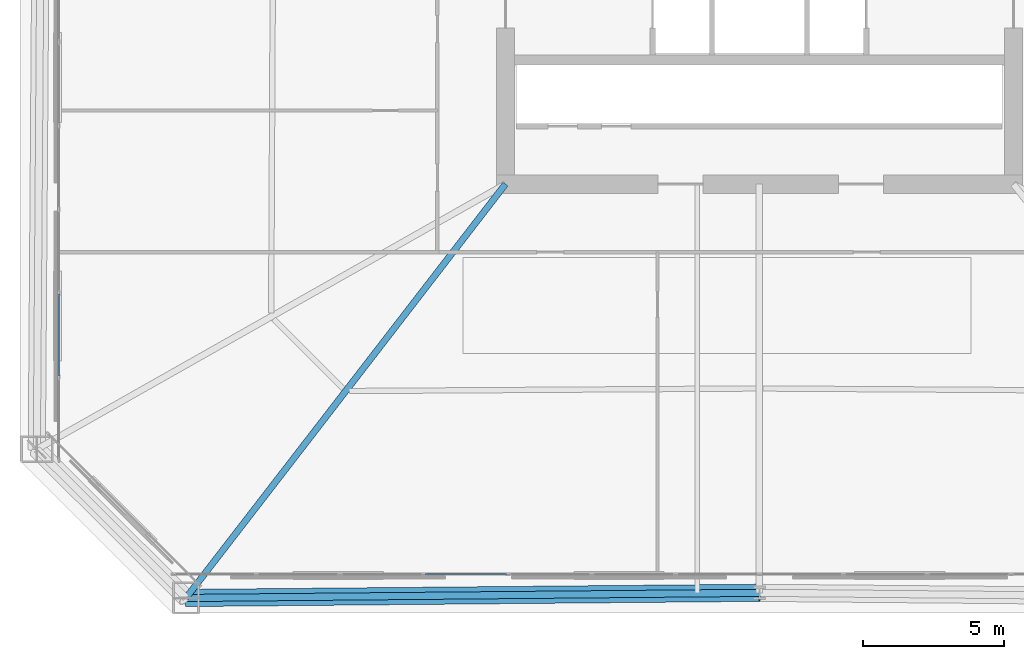
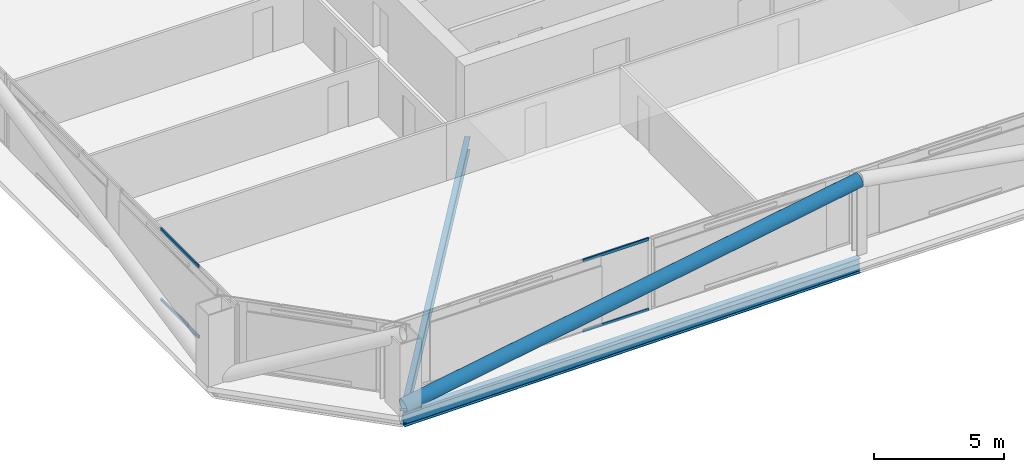
# One storey, part 4 of 50: 5 members, 2 beams, 2 elements without a shape of their own.
"""IFC4 building model written with IfcOpenShell, lengths in metres."""

import ifcopenshell
import ifcopenshell.guid

model = None  # the IFC model being written
_history = None  # IfcOwnerHistory: only IFC2X3 demands one
_inside = {}  # id of a spatial element -> (the spatial element, [elements in it])
_under = {}  # id of a project, library or spatial element -> (it, [spatial elements below it])
_declared = {}  # id of a project -> (the project, [libraries it declares])
_typed = {}  # id of a type object -> (the type object, [elements of that type])
_made_of = {}  # id of a material, layer set ... -> (it, [elements and type objects made of it])


def new_model(schema):
    """Start an empty IFC model of exactly this schema.

    Asked for "IFC4X3", IfcOpenShell would pick the latest addendum, in which some entities
    have other attributes; the version numbers below select the first issue.
    IFC2X3 requires an IfcOwnerHistory on every rooted entity: one is made here for all.
    """
    global model, _history
    if schema == "IFC4X3":
        model = ifcopenshell.file(schema_version=(4, 3, 0, 0))
    else:
        model = ifcopenshell.file(schema=schema)
    _inside.clear()
    _under.clear()
    _declared.clear()
    _typed.clear()
    _made_of.clear()
    _history = None
    if model.schema == "IFC2X3":
        org = make("IfcOrganization", Name="unknown")
        user = make(
            "IfcPersonAndOrganization",
            ThePerson=make("IfcPerson", FamilyName="unknown"),
            TheOrganization=org,
        )
        app = make(
            "IfcApplication",
            ApplicationDeveloper=org,
            Version="unknown",
            ApplicationFullName="unknown",
            ApplicationIdentifier="unknown",
        )
        _history = make(
            "IfcOwnerHistory",
            OwningUser=user,
            OwningApplication=app,
            ChangeAction="ADDED",
            CreationDate=0,
        )
    return model


def make(cls, **values):
    """One entity of the class cls with the attributes given. An attribute that is None is left unset."""
    return model.create_entity(
        cls, **{name: value for name, value in values.items() if value is not None}
    )


def rooted(cls, **values):
    """An entity with a GlobalId (a new one), such as an element, a storey or a relation."""
    return make(cls, GlobalId=ifcopenshell.guid.new(), OwnerHistory=_history, **values)


def si_unit(unit_type, name, prefix=None):
    """IfcSIUnit, for example si_unit("LENGTHUNIT", "METRE", prefix="MILLI")."""
    return make("IfcSIUnit", UnitType=unit_type, Prefix=prefix, Name=name)


def assignment(units):
    """IfcUnitAssignment: the units of a project."""
    return None if units is None else make("IfcUnitAssignment", Units=units)


def point(xyz):
    """IfcCartesianPoint."""
    return None if xyz is None else make("IfcCartesianPoint", Coordinates=xyz)


def direction(xyz):
    """IfcDirection."""
    return None if xyz is None else make("IfcDirection", DirectionRatios=xyz)


def frame(location, z_axis=None, x_axis=None):
    """IfcAxis2Placement3D, a coordinate frame: its origin and axes. An axis left out is left unset."""
    return make(
        "IfcAxis2Placement3D",
        Location=point(location),
        Axis=direction(z_axis),
        RefDirection=direction(x_axis),
    )


def frame_2d(location, x_axis=None):
    """IfcAxis2Placement2D, a coordinate frame in the plane: its origin and x axis."""
    return make(
        "IfcAxis2Placement2D", Location=point(location), RefDirection=direction(x_axis)
    )


def origin():
    """The frame at (0, 0, 0) with its axes left unset."""
    return frame((0.0, 0.0, 0.0))


def origin_2d():
    """The frame at (0, 0) in the plane with its x axis left unset."""
    return frame_2d((0.0, 0.0))


def place(relative_to, where):
    """IfcLocalPlacement: puts the frame where relative to a parent placement (None: the world)."""
    return make(
        "IfcLocalPlacement", PlacementRelTo=relative_to, RelativePlacement=where
    )


def context(
    kind, dimensions, precision=None, world=None, true_north=None, identifier=None
):
    """IfcGeometricRepresentationContext, for example the 3D "Model" context."""
    return make(
        "IfcGeometricRepresentationContext",
        ContextIdentifier=identifier,
        ContextType=kind,
        CoordinateSpaceDimension=dimensions,
        Precision=precision,
        WorldCoordinateSystem=world,
        TrueNorth=true_north,
    )


def subcontext(parent, identifier, kind, view, scale=None):
    """IfcGeometricRepresentationSubContext, for example "Body" below "Model"."""
    return make(
        "IfcGeometricRepresentationSubContext",
        ContextIdentifier=identifier,
        ContextType=kind,
        ParentContext=parent,
        TargetScale=scale,
        TargetView=view,
    )


def project(units=None, contexts=None):
    """IfcProject with its units and contexts."""
    return rooted(
        "IfcProject",
        Name="project",
        RepresentationContexts=contexts,
        UnitsInContext=assignment(units),
    )


def spatial(cls, under=None, at=None, **own):
    """A site, building, storey or space (cls), placed at a placement, below another one or the project."""
    s = rooted(cls, ObjectPlacement=at, **own)
    if under is not None:
        _under.setdefault(under.id(), (under, []))[1].append(s)
    return s


def profile(cls, at=None, kind="AREA", **sizes):
    """A parametric profile (cls). Its sizes go by their IFC names, for example OverallWidth=200.0."""
    return make(cls, ProfileType=kind, Position=at, **sizes)


def hollow_rectangle(**sizes):
    """IfcRectangleHollowProfileDef."""
    return profile("IfcRectangleHollowProfileDef", **sizes)


def hollow_circle(**sizes):
    """IfcCircleHollowProfileDef."""
    return profile("IfcCircleHollowProfileDef", **sizes)


def i_section(**sizes):
    """IfcIShapeProfileDef."""
    return profile("IfcIShapeProfileDef", **sizes)


def extrude(swept, where, along, depth):
    """IfcExtrudedAreaSolid: the profile swept, set in the frame where, extruded along a direction by depth."""
    return make(
        "IfcExtrudedAreaSolid",
        SweptArea=swept,
        Position=where,
        ExtrudedDirection=direction(along),
        Depth=depth,
    )


def shape(context_of_items, identifier, shape_type, items):
    """IfcShapeRepresentation: the items that make up one representation, for example the "Body"."""
    return make(
        "IfcShapeRepresentation",
        ContextOfItems=context_of_items,
        RepresentationIdentifier=identifier,
        RepresentationType=shape_type,
        Items=items,
    )


def material(Name=None, Category=None):
    """IfcMaterial."""
    return make("IfcMaterial", Name=Name, Category=Category)


def layer(
    of_material, thickness, ventilated=None, Name=None, Category=None, Priority=None
):
    """IfcMaterialLayer: one layer of a wall or slab, of a material (None: an air gap)."""
    return make(
        "IfcMaterialLayer",
        Material=of_material,
        LayerThickness=thickness,
        IsVentilated=ventilated,
        Name=Name,
        Category=Category,
        Priority=Priority,
    )


def layer_set(layers, Name=None):
    """IfcMaterialLayerSet."""
    return make("IfcMaterialLayerSet", MaterialLayers=layers, LayerSetName=Name)


def material_profile(
    of_material, cross_section, Name=None, Category=None, Priority=None
):
    """IfcMaterialProfile: a cross section and its material."""
    return make(
        "IfcMaterialProfile",
        Name=Name,
        Material=of_material,
        Profile=cross_section,
        Priority=Priority,
        Category=Category,
    )


def profile_set(profiles, Name=None, composite=None):
    """IfcMaterialProfileSet."""
    return make(
        "IfcMaterialProfileSet",
        Name=Name,
        MaterialProfiles=profiles,
        CompositeProfile=composite,
    )


def made_of(thing, what):
    """Note that an element or type object is made of a material, layer set ...; save() writes the relation."""
    if what is not None:
        _made_of.setdefault(what.id(), (what, []))[1].append(thing)
    return thing


def type_object(cls, material=None, **own):
    """A type object (cls), such as IfcWallType, which elements share."""
    return made_of(rooted(cls, **own), material)


def element(
    cls,
    number,
    at=None,
    inside=None,
    cuts=None,
    type_object=None,
    material=None,
    context=None,
    identifier="Body",
    shape_type=None,
    held_by="IfcProductDefinitionShape",
    body=None,
    shapes=None,
    **own,
):
    """One element of the class cls, such as IfcWall. Its Tag is "e" and its number.

    at: its placement. inside: the storey or other place that contains it. cuts: it is an
    opening in that element (IfcRelVoidsElement). A single representation is given by context,
    identifier, shape_type and body (its items); several are given by shapes. held_by: the class
    of the entity that holds the representations. save() writes the other relations.
    """
    e = rooted(cls, Tag="e%d" % number, ObjectPlacement=at, **own)
    if body is not None:
        shapes = [shape(context, identifier, shape_type, body)]
    if shapes is not None:
        e.Representation = make(held_by, Representations=shapes)
    if inside is not None:
        _inside.setdefault(inside.id(), (inside, []))[1].append(e)
    if cuts is not None:
        rooted(
            "IfcRelVoidsElement", RelatingBuildingElement=cuts, RelatedOpeningElement=e
        )
    if type_object is not None:
        _typed.setdefault(type_object.id(), (type_object, []))[1].append(e)
    return made_of(e, material)


def aggregate(whole, parts):
    """IfcRelAggregates: a whole, such as a stair, and the parts it consists of."""
    return rooted("IfcRelAggregates", RelatingObject=whole, RelatedObjects=parts)


def save(model, path):
    """Write the relations noted so far, then the file.

    IfcRelAggregates (storeys below a building ...), IfcRelContainedInSpatialStructure (elements
    in a storey), IfcRelDefinesByType, IfcRelAssociatesMaterial and IfcRelDeclares: one each for
    every whole, place, type object, material and project.
    """
    for whole, parts in _under.values():
        aggregate(whole, parts)
    for where, things in _inside.values():
        rooted(
            "IfcRelContainedInSpatialStructure",
            RelatedElements=things,
            RelatingStructure=where,
        )
    for kind, things in _typed.values():
        rooted("IfcRelDefinesByType", RelatedObjects=things, RelatingType=kind)
    for what, things in _made_of.values():
        rooted("IfcRelAssociatesMaterial", RelatedObjects=things, RelatingMaterial=what)
    for by, libraries in _declared.values():
        rooted("IfcRelDeclares", RelatingContext=by, RelatedDefinitions=libraries)
    model.write(path)


model = new_model("IFC4")

# Units and contexts
model_context = context("Model", 3, precision=1e-05, world=origin(), true_north=direction((0.0, 1.0)))
body_context = subcontext(model_context, "Body", "Model", "MODEL_VIEW")
ifc_project = project(units=[si_unit("LENGTHUNIT", "METRE"), si_unit("AREAUNIT", "SQUARE_METRE"), si_unit("VOLUMEUNIT", "CUBIC_METRE"), si_unit("PLANEANGLEUNIT", "RADIAN"), si_unit("MASSUNIT", "GRAM", prefix="KILO")], contexts=[model_context])

# Site, building, storey
site_placement = place(None, origin())
site = spatial("IfcSite", under=ifc_project, at=site_placement, CompositionType="ELEMENT")
building_placement = place(site_placement, origin())
building = spatial("IfcBuilding", under=site, at=building_placement, Name="Caelvoria Tower", CompositionType="ELEMENT")
storey_placement = place(building_placement, frame((0.0, 0.0, 71.199951171875)))
storey = spatial("IfcBuildingStorey", under=building, at=storey_placement, Name="L18", CompositionType="ELEMENT", Elevation=71.199951171875)

# Curtain wall, members
ifc_material_1 = material(Name="Anodised Bronze Aluminium and Low-E Glass", Category="aluminium")
ifc_layer = layer(ifc_material_1, 0.18505859375, Name="Anodised Bronze Aluminium and Low-E Glass")
ifc_layer_set = layer_set([ifc_layer], Name="CW System 2 Lower Tower Bronze Unitised Facade - Anodised Bronze Aluminium and Low-E Glass")
curtain_wall_type = type_object("IfcCurtainWallType", Name="CW System 2 Lower Tower Bronze Unitised Facade", PredefinedType="NOTDEFINED", material=ifc_layer_set)
curtain_wall_1_placement = place(storey_placement, origin())
curtain_wall_1 = element("IfcCurtainWall", 1, at=curtain_wall_1_placement, inside=storey, type_object=curtain_wall_type, Name="CW-02 Curtain Wall L18-E0", PredefinedType="NOTDEFINED")
ifc_material_2 = material(Name="Anodised Bronze Architectural Aluminium", Category="aluminium")
ifc_material_profile_1 = material_profile(ifc_material_2, hollow_rectangle(XDim=0.06494140625, YDim=0.1298828125, WallThickness=0.00341796875, at=origin_2d()), Name="Anodised Bronze Architectural Aluminium")
ifc_profile_set_1 = profile_set([ifc_material_profile_1], Name="CW_TRAN_65X130 - Anodised Bronze Architectural Aluminium")
member_type_1 = type_object("IfcMemberType", Name="Curtain Wall Transom 65x130 Bronze Aluminium", PredefinedType="USERDEFINED", material=ifc_profile_set_1)
member_1_placement = place(storey_placement, frame((34.146728515625, 10.179931640625, 0.032470703125), z_axis=(1.0, 0.0, 0.0), x_axis=(0.0, 1.0, 0.0)))
member_1 = element("IfcMember", 2, at=member_1_placement, type_object=member_type_1, Name="CW-02 transom 4.1", ObjectType="TRANSOM", PredefinedType="USERDEFINED", context=body_context, shape_type="SweptSolid", body=[
    extrude(hollow_rectangle(XDim=0.06494140625, YDim=0.1298828125, WallThickness=0.00341796875, at=origin_2d()), origin(), (0.0, 0.0, 1.0), 2.906494140625),
])
member_2_placement = place(storey_placement, frame((34.146728515625, 10.179931640625, 3.32763671875), z_axis=(1.0, 0.0, 0.0), x_axis=(0.0, 1.0, 0.0)))
member_2 = element("IfcMember", 3, at=member_2_placement, type_object=member_type_1, Name="CW-02 transom 4.2", ObjectType="TRANSOM", PredefinedType="USERDEFINED", context=body_context, shape_type="SweptSolid", body=[
    extrude(hollow_rectangle(XDim=0.06494140625, YDim=0.1298828125, WallThickness=0.00341796875, at=origin_2d()), origin(), (0.0, 0.0, 1.0), 2.906494140625),
])
aggregate(curtain_wall_1, [member_1, member_2])

curtain_wall_2_placement = place(storey_placement, origin())
curtain_wall_2 = element("IfcCurtainWall", 4, at=curtain_wall_2_placement, inside=storey, type_object=curtain_wall_type, Name="CW-02 Curtain Wall L18-E6", PredefinedType="NOTDEFINED")
member_3_placement = place(storey_placement, frame((21.179931640625, 20.100830078125, 0.032470703125), z_axis=(0.0, -1.0, 0.0), x_axis=(1.0, 0.0, 0.0)))
member_3 = element("IfcMember", 5, at=member_3_placement, type_object=member_type_1, Name="CW-02 transom 11.1", ObjectType="TRANSOM", PredefinedType="USERDEFINED", context=body_context, shape_type="SweptSolid", body=[
    extrude(hollow_rectangle(XDim=0.06494140625, YDim=0.1298828125, WallThickness=0.00341796875, at=origin_2d()), origin(), (0.0, 0.0, 1.0), 2.901611328125),
])
member_4_placement = place(storey_placement, frame((21.179931640625, 20.100830078125, 3.32763671875), z_axis=(0.0, -1.0, 0.0), x_axis=(1.0, 0.0, 0.0)))
member_4 = element("IfcMember", 6, at=member_4_placement, type_object=member_type_1, Name="CW-02 transom 11.2", ObjectType="TRANSOM", PredefinedType="USERDEFINED", context=body_context, shape_type="SweptSolid", body=[
    extrude(hollow_rectangle(XDim=0.06494140625, YDim=0.1298828125, WallThickness=0.00341796875, at=origin_2d()), origin(), (0.0, 0.0, 1.0), 2.901611328125),
])
aggregate(curtain_wall_2, [member_3, member_4])

# Member
ifc_material_3 = material(Name="Structural Steel ASTM A572 Gr.50", Category="steel")
ifc_material_profile_2 = material_profile(ifc_material_3, hollow_circle(Radius=0.304931640625, WallThickness=0.02490234375, at=origin_2d()), Name="Structural Steel ASTM A572 Gr.50")
ifc_profile_set_2 = profile_set([ifc_material_profile_2], Name="CHS610X25 - Structural Steel ASTM A572 Gr.50")
member_type_2 = type_object("IfcMemberType", Name="Lower Perimeter Mega Brace CHS610X25", PredefinedType="BRACE", material=ifc_profile_set_2)
member_5_placement = place(storey_placement, frame((25.6806640625, 9.336181640625, 0.0), z_axis=(0.986562079401, 0.008925857233, 0.16314285936), x_axis=(-0.009047065688, 0.999959074464, 0.0)))
element("IfcMember", 7, at=member_5_placement, inside=storey, type_object=member_type_2, Name="Perimeter Cardinal Mega Brace L18 SA", PredefinedType="BRACE", context=body_context, shape_type="SweptSolid", body=[
    extrude(hollow_circle(Radius=0.304931640625, WallThickness=0.02490234375, at=origin_2d()), origin(), (0.0, 0.0, 1.0), 20.59619140625),
])

# Beams
ifc_material_4 = material(Name="Structural Steel ASTM A992 Gr.50", Category="steel")
ifc_material_profile_3 = material_profile(ifc_material_4, i_section(OverallWidth=0.25390625, OverallDepth=0.68798828125, WebThickness=0.01318359375, FlangeThickness=0.02099609375, FilletRadius=0.01904296875, at=origin_2d()), Name="Structural Steel ASTM A992 Gr.50")
ifc_profile_set_3 = profile_set([ifc_material_profile_3], Name="W690X152 - Structural Steel ASTM A992 Gr.50")
beam_type_1 = type_object("IfcBeamType", Name="Perimeter Spandrel Girder W690X152", PredefinedType="BEAM", material=ifc_profile_set_3)
beam_1_placement = place(storey_placement, frame((25.6806640625, 9.336181640625, -0.583984375), z_axis=(0.999959074464, 0.009047065688, 0.0), x_axis=(-0.009047065688, 0.999959074464, 0.0)))
element("IfcBeam", 8, at=beam_1_placement, inside=storey, type_object=beam_type_1, Name="Perimeter Spandrel Girder L18-00", PredefinedType="BEAM", context=body_context, shape_type="SweptSolid", body=[
    extrude(i_section(OverallWidth=0.25390625, OverallDepth=0.68798828125, WebThickness=0.01318359375, FlangeThickness=0.02099609375, FilletRadius=0.01904296875, at=origin_2d()), origin(), (0.0, 0.0, 1.0), 20.320068359375),
])
ifc_material_profile_4 = material_profile(ifc_material_4, i_section(OverallWidth=0.22900390625, OverallDepth=0.612060546875, WebThickness=0.011962890625, FlangeThickness=0.01953125, FilletRadius=0.01806640625, at=origin_2d()), Name="Structural Steel ASTM A992 Gr.50")
ifc_profile_set_4 = profile_set([ifc_material_profile_4], Name="W610X125 - Structural Steel ASTM A992 Gr.50")
beam_type_2 = type_object("IfcBeamType", Name="Primary Radial Floor Girder W610X125", PredefinedType="BEAM", material=ifc_profile_set_4)
beam_2_placement = place(storey_placement, frame((37.0, 24.0, -0.5458984375), z_axis=(-0.611048700367, -0.791593005136, 0.0), x_axis=(0.791593005136, -0.611048700367, 0.0)))
element("IfcBeam", 9, at=beam_2_placement, inside=storey, type_object=beam_type_2, Name="Primary Floor Girder L18-00", PredefinedType="BEAM", context=body_context, shape_type="SweptSolid", body=[
    extrude(i_section(OverallWidth=0.22900390625, OverallDepth=0.612060546875, WebThickness=0.011962890625, FlangeThickness=0.01953125, FilletRadius=0.01806640625, at=origin_2d()), origin(), (0.0, 0.0, 1.0), 18.5244140625),
])

save(model, "model.ifc")
